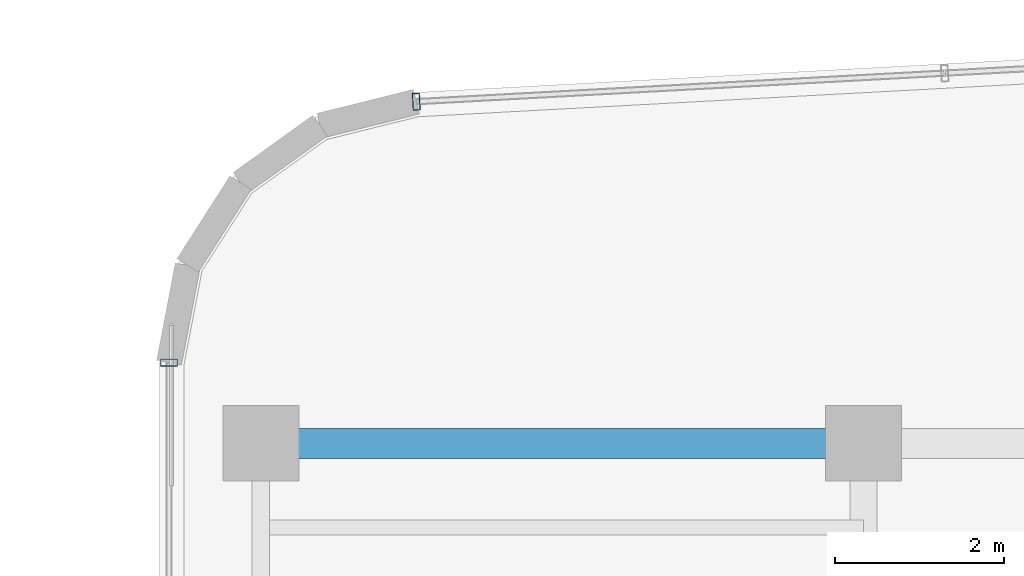
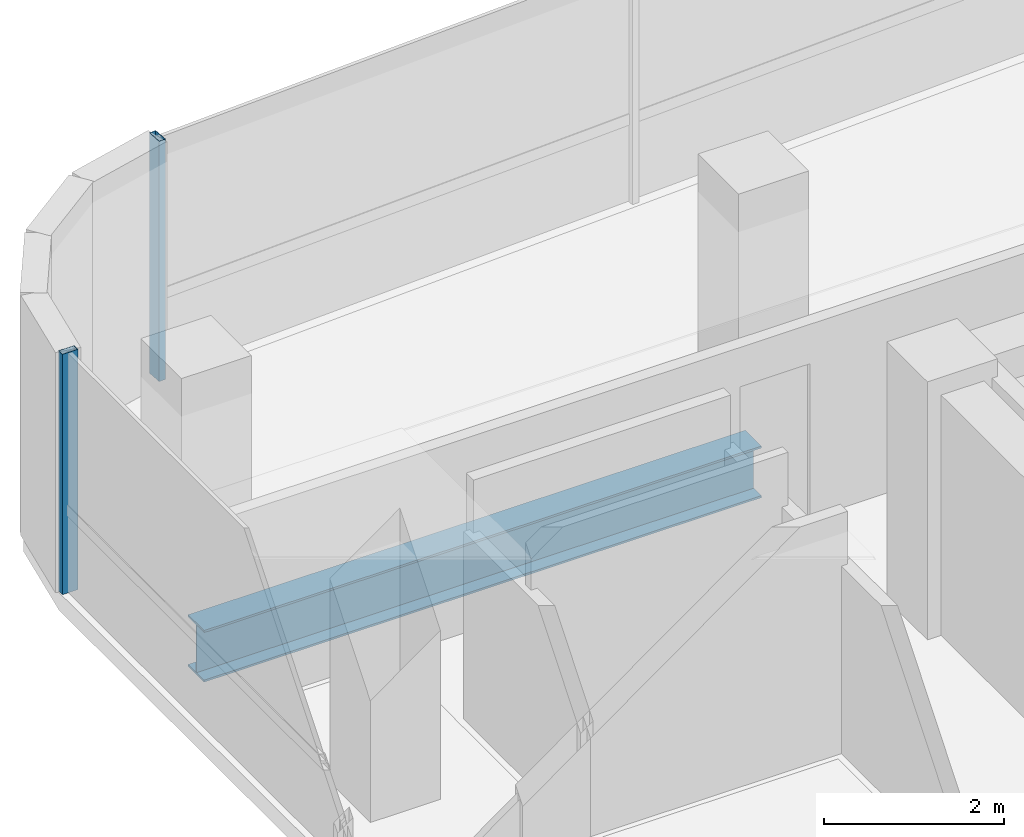
# One storey, part 13 of 22: 2 members, 1 beam, 2 elements without a shape of their own.
"""IFC4 building model written with IfcOpenShell, lengths in metres."""

from ifc_helpers import new_model, si_unit, direction, frame, origin, origin_2d, place, context, subcontext, project, spatial, hollow_rectangle, i_section, extrude, source, transform, mapped, material, material_profile, profile_set, type_object, element, aggregate, save


model = new_model("IFC4")

# Units and contexts
model_context = context("Model", 3, precision=1e-05, world=origin(), true_north=direction((0.0, 1.0)))
body_context = subcontext(model_context, "Body", "Model", "MODEL_VIEW")
ifc_project = project(units=[si_unit("LENGTHUNIT", "METRE"), si_unit("AREAUNIT", "SQUARE_METRE"), si_unit("VOLUMEUNIT", "CUBIC_METRE"), si_unit("PLANEANGLEUNIT", "RADIAN"), si_unit("MASSUNIT", "GRAM", prefix="KILO")], contexts=[model_context])

# Site, building, storey
site_placement = place(None, origin())
site = spatial("IfcSite", under=ifc_project, at=site_placement, CompositionType="ELEMENT")
building_placement = place(site_placement, origin())
building = spatial("IfcBuilding", under=site, at=building_placement, Name="Valdorenza Pilgrim Sanctuary Tower", CompositionType="ELEMENT")
storey_placement = place(building_placement, frame((0.0, 0.0, 237.0)))
storey = spatial("IfcBuildingStorey", under=building, at=storey_placement, Name="L61", CompositionType="ELEMENT", Elevation=237.0)

# Beam
ifc_material_1 = material(Name="Steel ASTM A992 Grade 50", Category="steel")
ifc_material_profile_1 = material_profile(ifc_material_1, i_section(OverallWidth=0.35595703125, OverallDepth=0.700927734375, WebThickness=0.016845703125, FlangeThickness=0.02734375, at=origin_2d()), Name="W27X161")
ifc_profile_set_1 = profile_set([ifc_material_profile_1], Name="Steel ASTM A992 Grade 50")
beam_type = type_object("IfcBeamType", Name="STR-BM-GRD-W27", PredefinedType="BEAM", material=ifc_profile_set_1)
shared_shape_1 = source(origin(), body_context, "Body", "SweptSolid", [
    extrude(i_section(OverallWidth=0.35595703125, OverallDepth=0.700927734375, WebThickness=0.016845703125, FlangeThickness=0.02734375, at=origin_2d()), origin(), (0.0, 0.0, 1.0), 7.150146484375),
])
beam_placement = place(storey_placement, frame((-29.800048828125, 14.800048828125, -0.590576171875), z_axis=(1.0, 0.0, 0.0), x_axis=(0.0, 1.0, 0.0)))
element("IfcBeam", 1, at=beam_placement, inside=storey, type_object=beam_type, Name="L61 Floor Girder WA-XW-N2", PredefinedType="BEAM", context=body_context, shape_type="MappedRepresentation", body=[
    mapped(shared_shape_1, transform((0.0, 0.0, 0.0), x_axis=(1.0, 0.0, 0.0), y_axis=(0.0, 1.0, 0.0), z_axis=(0.0, 0.0, 1.0), scale=1.0)),
])

# Curtain wall, member
ifc_material_2 = material(Name="Curtain-wall IGU glazing", Category="glass")
curtain_wall_type = type_object("IfcCurtainWallType", Name="CW-SYS-02", PredefinedType="NOTDEFINED", material=ifc_material_2)
curtain_wall_1_placement = place(storey_placement, origin())
curtain_wall_1 = element("IfcCurtainWall", 2, at=curtain_wall_1_placement, inside=storey, type_object=curtain_wall_type, Name="L61 Curtain Wall CW-L61-1-1S2", PredefinedType="NOTDEFINED")
ifc_material_3 = material(Name="Anodised aluminium AW-6060", Category="aluminium")
ifc_material_profile_2 = material_profile(ifc_material_3, hollow_rectangle(XDim=0.0849609375, YDim=0.199951171875, WallThickness=0.0048828125, at=origin_2d()), Name="ALU-M 200x85x5")
ifc_profile_set_2 = profile_set([ifc_material_profile_2], Name="Anodised aluminium AW-6060")
member_type = type_object("IfcMemberType", Name="CW-MUL-02", PredefinedType="MULLION", material=ifc_profile_set_2)
shared_shape_2 = source(origin(), body_context, "Body", "SweptSolid", [
    extrude(hollow_rectangle(XDim=0.0849609375, YDim=0.199951171875, WallThickness=0.0048828125, at=origin_2d()), origin(), (0.0, 0.0, 1.0), 3.260009765625),
])
member_1_placement = place(storey_placement, frame((-30.889892578125, 15.757568359375, 0.0), z_axis=(0.0, 0.0, 1.0), x_axis=(0.0, 1.0, 0.0)))
member_1 = element("IfcMember", 3, at=member_1_placement, type_object=member_type, Name="CW-L61-1-1S2 Mullion 4", PredefinedType="MULLION", context=body_context, shape_type="MappedRepresentation", body=[
    mapped(shared_shape_2, transform((0.0, 0.0, 0.0), x_axis=(1.0, 0.0, 0.0), y_axis=(0.0, 1.0, 0.0), z_axis=(0.0, 0.0, 1.0), scale=1.0)),
])
aggregate(curtain_wall_1, [member_1])

curtain_wall_2_placement = place(storey_placement, origin())
curtain_wall_2 = element("IfcCurtainWall", 4, at=curtain_wall_2_placement, inside=storey, type_object=curtain_wall_type, Name="L61 Curtain Wall CW-L61-1-6", PredefinedType="NOTDEFINED")
member_2_placement = place(storey_placement, frame((-27.9560546875, 18.85400390625, 0.0), z_axis=(0.0, 0.0, 1.0), x_axis=(0.998547034311, 0.053887106711, 0.0)))
member_2 = element("IfcMember", 5, at=member_2_placement, type_object=member_type, Name="CW-L61-1-6 Mullion 1", PredefinedType="MULLION", context=body_context, shape_type="MappedRepresentation", body=[
    mapped(shared_shape_2, transform((0.0, 0.0, 0.0), x_axis=(1.0, 0.0, 0.0), y_axis=(0.0, 1.0, 0.0), z_axis=(0.0, 0.0, 1.0), scale=1.0)),
])
aggregate(curtain_wall_2, [member_2])

save(model, "model.ifc")
